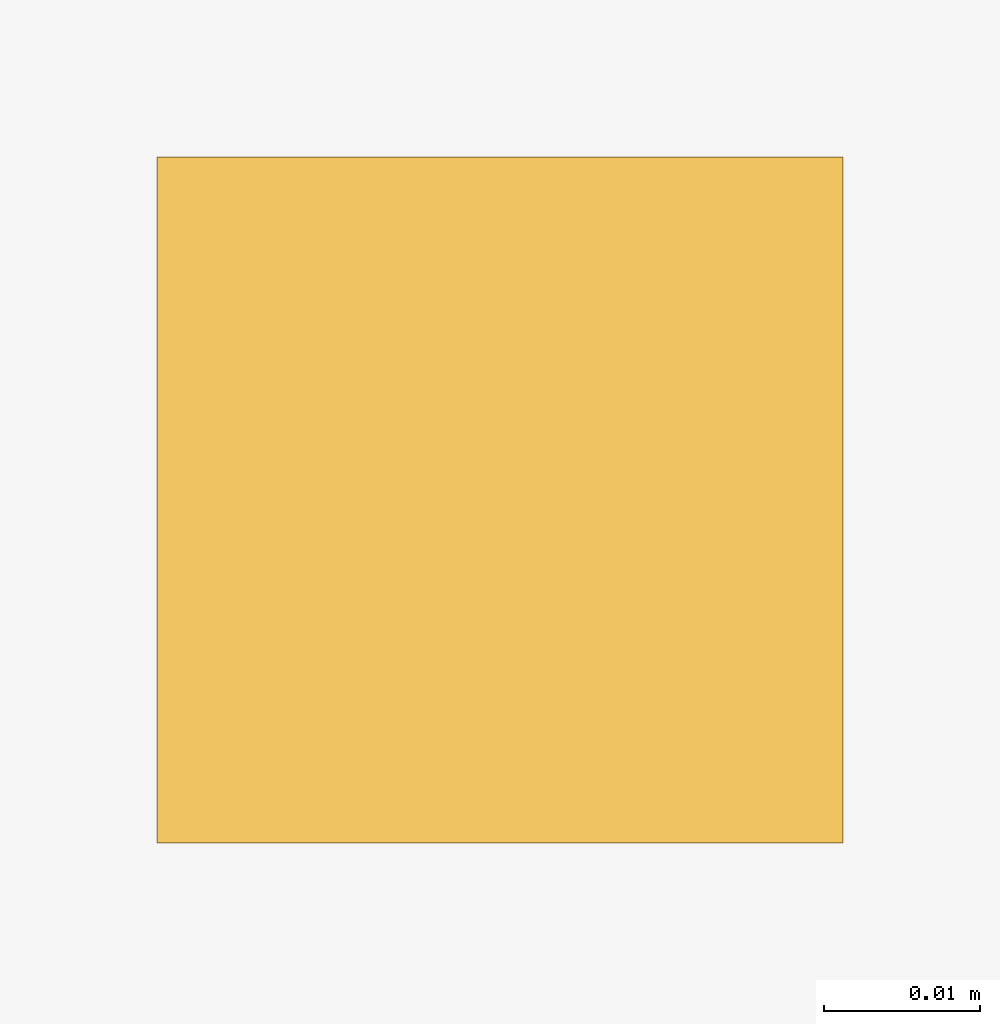
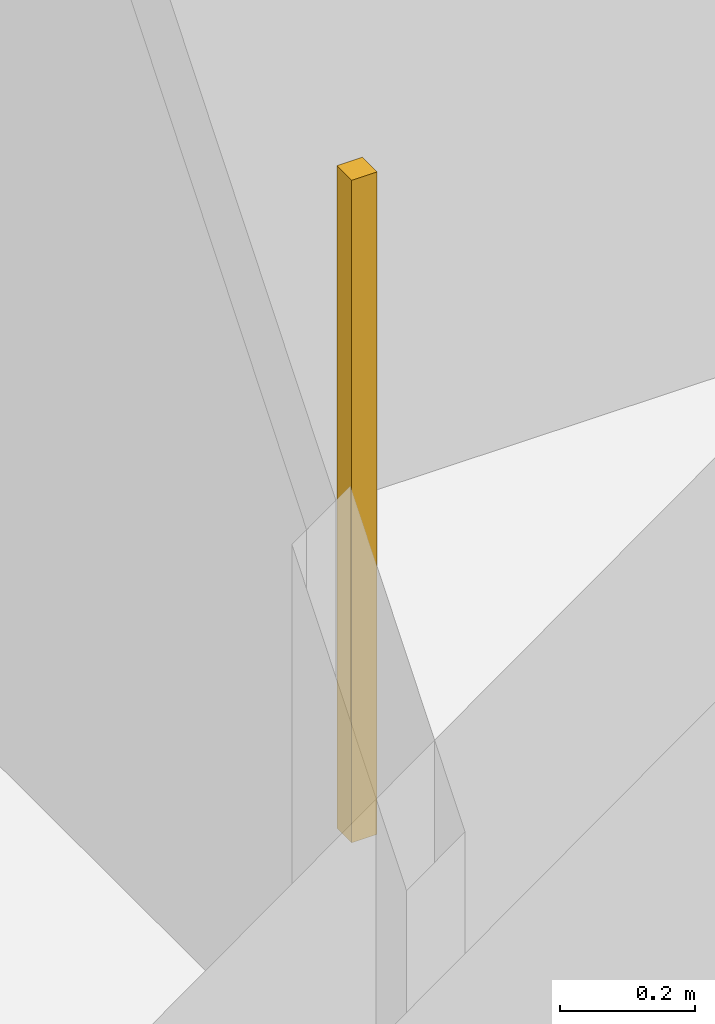
# One storey, part 8 of 10: 1 railing.
"""IFC4 building model written with IfcOpenShell, lengths in metres."""

from ifc_helpers import new_model, si_unit, direction, frame, origin, origin_2d, place, context, subcontext, project, spatial, rectangle, extrude, material, type_object, element, save


model = new_model("IFC4")

# Units and contexts
model_context = context("Model", 3, precision=1e-05, world=origin(), true_north=direction((0.0, 1.0)))
body_context = subcontext(model_context, "Body", "Model", "MODEL_VIEW")
ifc_project = project(units=[si_unit("LENGTHUNIT", "METRE"), si_unit("AREAUNIT", "SQUARE_METRE"), si_unit("VOLUMEUNIT", "CUBIC_METRE"), si_unit("PLANEANGLEUNIT", "RADIAN"), si_unit("MASSUNIT", "GRAM", prefix="KILO")], contexts=[model_context])

# Site, building, storey
site_placement = place(None, origin())
site = spatial("IfcSite", under=ifc_project, at=site_placement, CompositionType="ELEMENT")
building_placement = place(site_placement, origin())
building = spatial("IfcBuilding", under=site, at=building_placement, Name="Yunling Apex Tower", CompositionType="ELEMENT")
storey_placement = place(building_placement, frame((0.0, 0.0, 307.10009765625)))
storey = spatial("IfcBuildingStorey", under=building, at=storey_placement, Name="L75", CompositionType="ELEMENT", Elevation=307.10009765625)

# Railing
ifc_material = material(Name="Bronze anodised aluminium", Category="aluminium")
railing_type = type_object("IfcRailingType", Name="RL-BAL-1200", PredefinedType="BALUSTRADE", material=ifc_material)
railing_placement = place(storey_placement, origin())
element("IfcRailing", 1, at=railing_placement, inside=storey, type_object=railing_type, Name="RL-TATR-L75", PredefinedType="BALUSTRADE", context=body_context, shape_type="SweptSolid", body=[
    extrude(rectangle(XDim=0.0439453125, YDim=0.0439453125, at=origin_2d()), origin(), (0.0, 0.0, 1.0), 1.199951171875),
])

save(model, "model.ifc")
